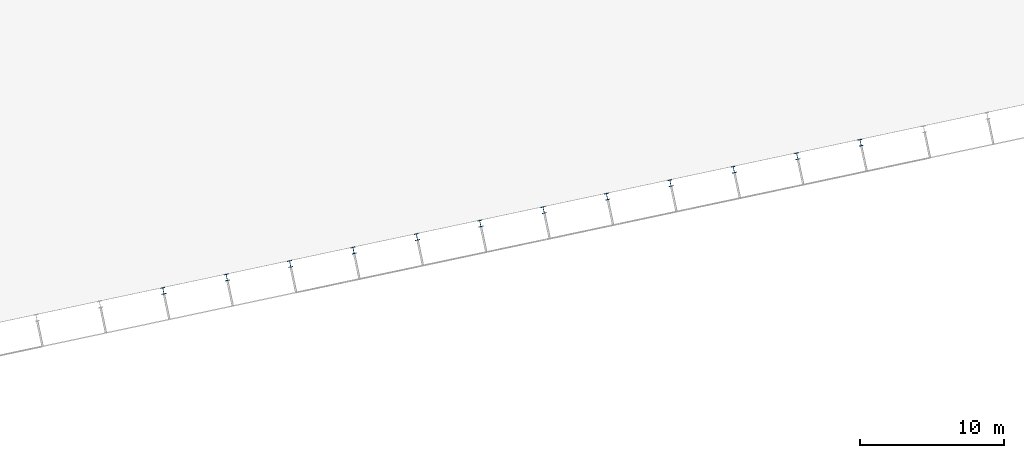
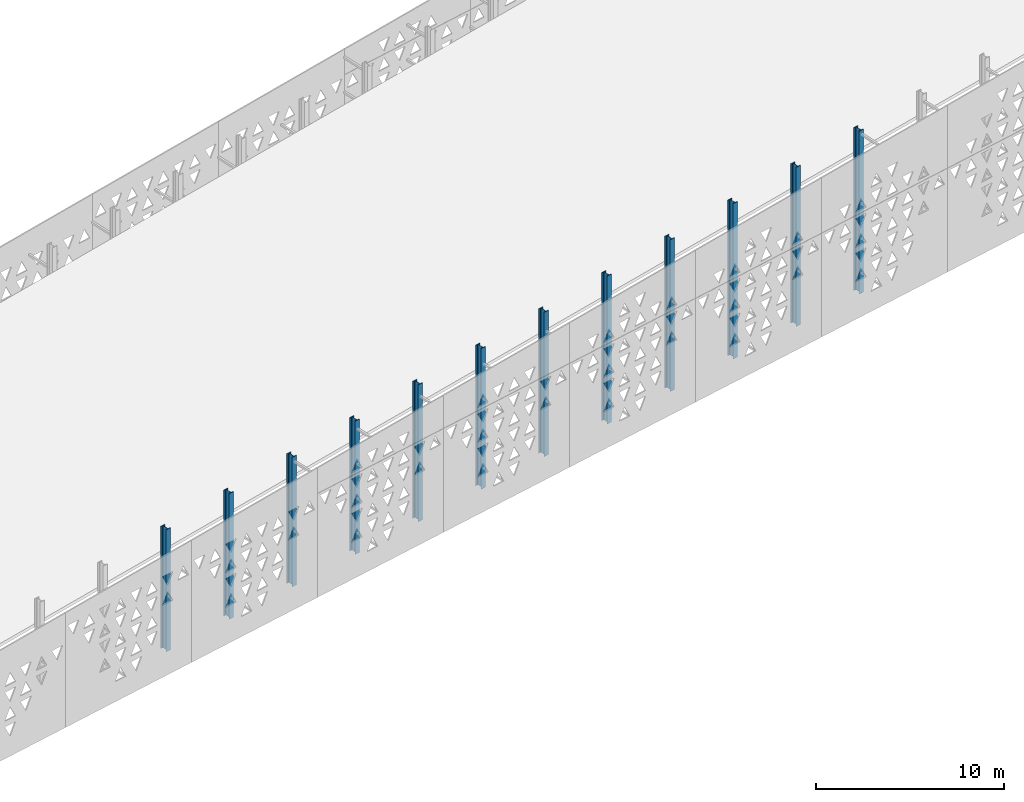
# One storey, part 5 of 41: 12 columns.
"""IFC4 building model written with IfcOpenShell, lengths in metres."""

from ifc_helpers import new_model, si_unit, direction, frame, origin, origin_2d, place, context, subcontext, project, spatial, i_section, extrude, material, material_profile, profile_set, type_object, element, save


model = new_model("IFC4")

# Units and contexts
model_context = context("Model", 3, precision=1e-05, world=origin(), true_north=direction((0.0, 1.0)))
body_context = subcontext(model_context, "Body", "Model", "MODEL_VIEW")
ifc_project = project(units=[si_unit("LENGTHUNIT", "METRE"), si_unit("AREAUNIT", "SQUARE_METRE"), si_unit("VOLUMEUNIT", "CUBIC_METRE"), si_unit("PLANEANGLEUNIT", "RADIAN"), si_unit("MASSUNIT", "GRAM", prefix="KILO")], contexts=[model_context])

# Site, building, storey
site_placement = place(None, origin())
site = spatial("IfcSite", under=ifc_project, at=site_placement, CompositionType="ELEMENT")
building_placement = place(site_placement, origin())
building = spatial("IfcBuilding", under=site, at=building_placement, Name="Okhra Congress Centre", CompositionType="ELEMENT")
storey_placement = place(building_placement, frame((0.0, 0.0, 21.60009765625)))
storey = spatial("IfcBuildingStorey", under=building, at=storey_placement, Name="ROOF", CompositionType="ELEMENT", Elevation=21.60009765625)

# Columns
ifc_material = material(Name="Steel S355J2", Category="steel")
ifc_material_profile = material_profile(ifc_material, i_section(OverallWidth=0.300048828125, OverallDepth=0.449951171875, WebThickness=0.013916015625, FlangeThickness=0.02587890625, FilletRadius=0.027099609375, at=origin_2d()), Name="HE 450 B")
ifc_profile_set = profile_set([ifc_material_profile], Name="Steel S355J2")
column_type = type_object("IfcColumnType", Name="Steel post HE 450 B", PredefinedType="COLUMN", material=ifc_profile_set)
column_1_placement = place(storey_placement, frame((135.83935546875, 42.714599609375, 0.0), z_axis=(0.0, 0.0, 1.0), x_axis=(0.978147600734, 0.207911690818, 0.0)))
element("IfcColumn", 1, at=column_1_placement, inside=storey, type_object=column_type, Name="Screen upstand post S18", PredefinedType="COLUMN", context=body_context, shape_type="SweptSolid", body=[
    extrude(i_section(OverallWidth=0.300048828125, OverallDepth=0.449951171875, WebThickness=0.013916015625, FlangeThickness=0.02587890625, FilletRadius=0.027099609375, at=origin_2d()), origin(), (0.0, 0.0, 1.0), 7.9130859375),
])
column_2_placement = place(storey_placement, frame((140.240966796875, 43.650146484375, 0.0), z_axis=(0.0, 0.0, 1.0), x_axis=(0.978147600734, 0.207911690818, 0.0)))
element("IfcColumn", 2, at=column_2_placement, inside=storey, type_object=column_type, Name="Screen upstand post S19", PredefinedType="COLUMN", context=body_context, shape_type="SweptSolid", body=[
    extrude(i_section(OverallWidth=0.300048828125, OverallDepth=0.449951171875, WebThickness=0.013916015625, FlangeThickness=0.02587890625, FilletRadius=0.027099609375, at=origin_2d()), origin(), (0.0, 0.0, 1.0), 8.15380859375),
])
column_3_placement = place(storey_placement, frame((144.642578125, 44.585693359375, 0.0), z_axis=(0.0, 0.0, 1.0), x_axis=(0.978147600734, 0.207911690818, 0.0)))
element("IfcColumn", 3, at=column_3_placement, inside=storey, type_object=column_type, Name="Screen upstand post S20", PredefinedType="COLUMN", context=body_context, shape_type="SweptSolid", body=[
    extrude(i_section(OverallWidth=0.300048828125, OverallDepth=0.449951171875, WebThickness=0.013916015625, FlangeThickness=0.02587890625, FilletRadius=0.027099609375, at=origin_2d()), origin(), (0.0, 0.0, 1.0), 8.39453125),
])
column_4_placement = place(storey_placement, frame((149.044189453125, 45.521240234375, 0.0), z_axis=(0.0, 0.0, 1.0), x_axis=(0.978147600734, 0.207911690818, 0.0)))
element("IfcColumn", 4, at=column_4_placement, inside=storey, type_object=column_type, Name="Screen upstand post S21", PredefinedType="COLUMN", context=body_context, shape_type="SweptSolid", body=[
    extrude(i_section(OverallWidth=0.300048828125, OverallDepth=0.449951171875, WebThickness=0.013916015625, FlangeThickness=0.02587890625, FilletRadius=0.027099609375, at=origin_2d()), origin(), (0.0, 0.0, 1.0), 8.63525390625),
])
column_5_placement = place(storey_placement, frame((153.446044921875, 46.456787109375, 0.0), z_axis=(0.0, 0.0, 1.0), x_axis=(0.978147600734, 0.207911690818, 0.0)))
element("IfcColumn", 5, at=column_5_placement, inside=storey, type_object=column_type, Name="Screen upstand post S22", PredefinedType="COLUMN", context=body_context, shape_type="SweptSolid", body=[
    extrude(i_section(OverallWidth=0.300048828125, OverallDepth=0.449951171875, WebThickness=0.013916015625, FlangeThickness=0.02587890625, FilletRadius=0.027099609375, at=origin_2d()), origin(), (0.0, 0.0, 1.0), 8.876220703125),
])
column_6_placement = place(storey_placement, frame((157.84765625, 47.392578125, 0.0), z_axis=(0.0, 0.0, 1.0), x_axis=(0.978147600734, 0.207911690818, 0.0)))
element("IfcColumn", 6, at=column_6_placement, inside=storey, type_object=column_type, Name="Screen upstand post S23", PredefinedType="COLUMN", context=body_context, shape_type="SweptSolid", body=[
    extrude(i_section(OverallWidth=0.300048828125, OverallDepth=0.449951171875, WebThickness=0.013916015625, FlangeThickness=0.02587890625, FilletRadius=0.027099609375, at=origin_2d()), origin(), (0.0, 0.0, 1.0), 9.116943359375),
])
column_7_placement = place(storey_placement, frame((162.249267578125, 48.328125, 0.0), z_axis=(0.0, 0.0, 1.0), x_axis=(0.978147600734, 0.207911690818, 0.0)))
element("IfcColumn", 7, at=column_7_placement, inside=storey, type_object=column_type, Name="Screen upstand post S24", PredefinedType="COLUMN", context=body_context, shape_type="SweptSolid", body=[
    extrude(i_section(OverallWidth=0.300048828125, OverallDepth=0.449951171875, WebThickness=0.013916015625, FlangeThickness=0.02587890625, FilletRadius=0.027099609375, at=origin_2d()), origin(), (0.0, 0.0, 1.0), 9.357666015625),
])
column_8_placement = place(storey_placement, frame((166.65087890625, 49.263671875, 0.0), z_axis=(0.0, 0.0, 1.0), x_axis=(0.978147600734, 0.207911690818, 0.0)))
element("IfcColumn", 8, at=column_8_placement, inside=storey, type_object=column_type, Name="Screen upstand post S25", PredefinedType="COLUMN", context=body_context, shape_type="SweptSolid", body=[
    extrude(i_section(OverallWidth=0.300048828125, OverallDepth=0.449951171875, WebThickness=0.013916015625, FlangeThickness=0.02587890625, FilletRadius=0.027099609375, at=origin_2d()), origin(), (0.0, 0.0, 1.0), 9.598388671875),
])
column_9_placement = place(storey_placement, frame((171.052490234375, 50.19921875, 0.0), z_axis=(0.0, 0.0, 1.0), x_axis=(0.978147600734, 0.207911690818, 0.0)))
element("IfcColumn", 9, at=column_9_placement, inside=storey, type_object=column_type, Name="Screen upstand post S26", PredefinedType="COLUMN", context=body_context, shape_type="SweptSolid", body=[
    extrude(i_section(OverallWidth=0.300048828125, OverallDepth=0.449951171875, WebThickness=0.013916015625, FlangeThickness=0.02587890625, FilletRadius=0.027099609375, at=origin_2d()), origin(), (0.0, 0.0, 1.0), 9.839111328125),
])
column_10_placement = place(storey_placement, frame((175.454345703125, 51.135009765625, 0.0), z_axis=(0.0, 0.0, 1.0), x_axis=(0.978147600734, 0.207911690818, 0.0)))
element("IfcColumn", 10, at=column_10_placement, inside=storey, type_object=column_type, Name="Screen upstand post S27", PredefinedType="COLUMN", context=body_context, shape_type="SweptSolid", body=[
    extrude(i_section(OverallWidth=0.300048828125, OverallDepth=0.449951171875, WebThickness=0.013916015625, FlangeThickness=0.02587890625, FilletRadius=0.027099609375, at=origin_2d()), origin(), (0.0, 0.0, 1.0), 10.079833984375),
])
column_11_placement = place(storey_placement, frame((179.85595703125, 52.070556640625, 0.0), z_axis=(0.0, 0.0, 1.0), x_axis=(0.978147600734, 0.207911690818, 0.0)))
element("IfcColumn", 11, at=column_11_placement, inside=storey, type_object=column_type, Name="Screen upstand post S28", PredefinedType="COLUMN", context=body_context, shape_type="SweptSolid", body=[
    extrude(i_section(OverallWidth=0.300048828125, OverallDepth=0.449951171875, WebThickness=0.013916015625, FlangeThickness=0.02587890625, FilletRadius=0.027099609375, at=origin_2d()), origin(), (0.0, 0.0, 1.0), 10.32080078125),
])
column_12_placement = place(storey_placement, frame((184.257568359375, 53.006103515625, 0.0), z_axis=(0.0, 0.0, 1.0), x_axis=(0.978147600734, 0.207911690818, 0.0)))
element("IfcColumn", 12, at=column_12_placement, inside=storey, type_object=column_type, Name="Screen upstand post S29", PredefinedType="COLUMN", context=body_context, shape_type="SweptSolid", body=[
    extrude(i_section(OverallWidth=0.300048828125, OverallDepth=0.449951171875, WebThickness=0.013916015625, FlangeThickness=0.02587890625, FilletRadius=0.027099609375, at=origin_2d()), origin(), (0.0, 0.0, 1.0), 10.5615234375),
])

save(model, "model.ifc")
